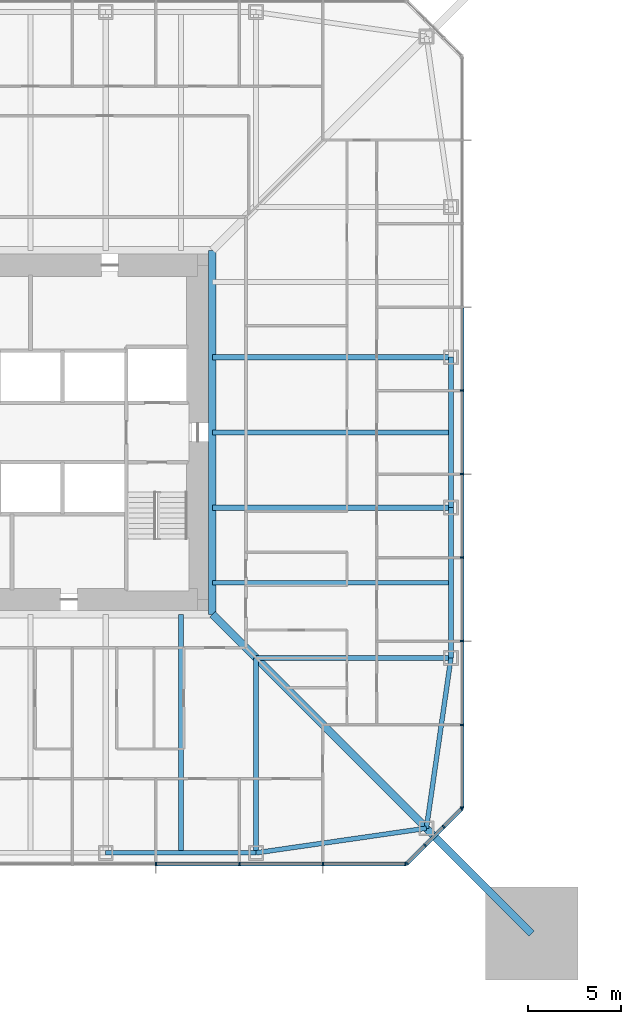
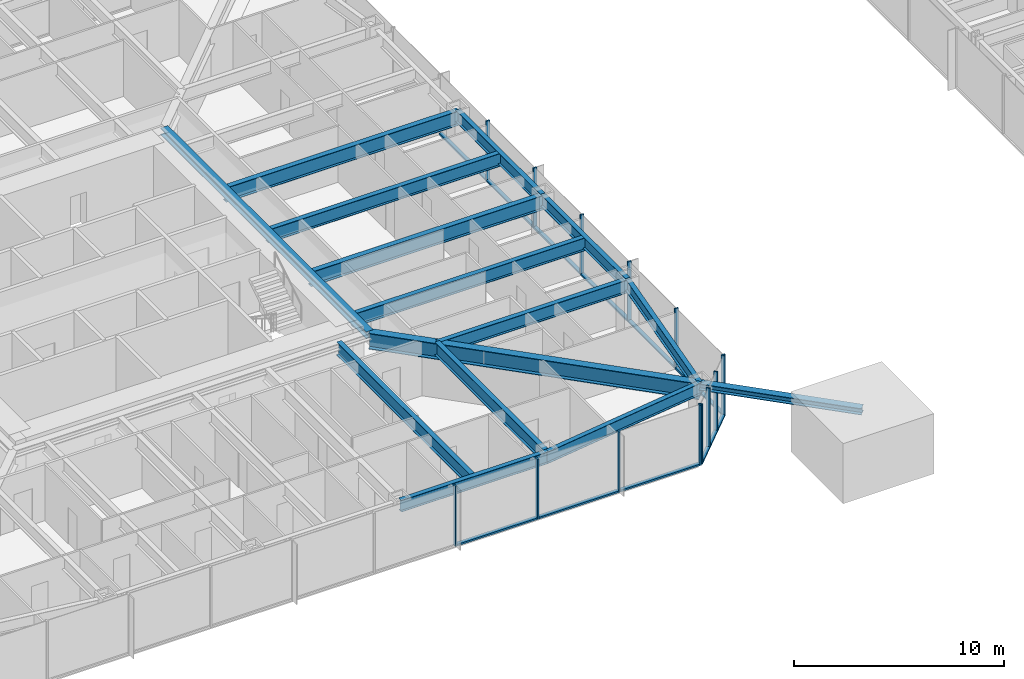
# One storey, part 5 of 26: 27 members, 14 beams, 3 elements without a shape of their own.
"""IFC4 building model written with IfcOpenShell, lengths in metres."""

from ifc_helpers import new_model, si_unit, direction, frame, origin, origin_2d, place, context, subcontext, project, spatial, rectangle, i_section, extrude, material, material_profile, profile_set, type_object, element, aggregate, save


model = new_model("IFC4")

# Units and contexts
model_context = context("Model", 3, precision=1e-05, world=origin(), true_north=direction((0.0, 1.0)))
body_context = subcontext(model_context, "Body", "Model", "MODEL_VIEW")
ifc_project = project(units=[si_unit("LENGTHUNIT", "METRE"), si_unit("AREAUNIT", "SQUARE_METRE"), si_unit("VOLUMEUNIT", "CUBIC_METRE"), si_unit("PLANEANGLEUNIT", "RADIAN"), si_unit("MASSUNIT", "GRAM", prefix="KILO")], contexts=[model_context])

# Site, building, storey
site_placement = place(None, origin())
site = spatial("IfcSite", under=ifc_project, at=site_placement, CompositionType="ELEMENT")
building_placement = place(site_placement, origin())
building = spatial("IfcBuilding", under=site, at=building_placement, Name="Iwan Alto Co-Living Towers", CompositionType="ELEMENT")
storey_placement = place(building_placement, frame((0.0, 0.0, 50.0)))
storey = spatial("IfcBuildingStorey", under=building, at=storey_placement, Name="L13", CompositionType="ELEMENT", Elevation=50.0)

# Curtain wall, members
ifc_material_1 = material(Name="Bronze aluminium unitised frame", Category="aluminium")
curtain_wall_type_1 = type_object("IfcCurtainWallType", Name="CURTAIN WALL CW-A", PredefinedType="NOTDEFINED", material=ifc_material_1)
curtain_wall_1_placement = place(storey_placement, origin())
curtain_wall_1 = element("IfcCurtainWall", 1, at=curtain_wall_1_placement, inside=storey, type_object=curtain_wall_type_1, Name="T1 curtain wall S L13", PredefinedType="NOTDEFINED")
ifc_material_2 = material(Name="Aluminium 6063-T6 bronze anodised", Category="aluminium")
ifc_material_profile_1 = material_profile(ifc_material_2, rectangle(XDim=0.199951171875, YDim=0.080078125, at=origin_2d()), Name="AL 80X200")
ifc_profile_set_1 = profile_set([ifc_material_profile_1], Name="Aluminium 6063-T6 bronze anodised")
member_type_1 = type_object("IfcMemberType", Name="CW-A MULLION 80X200", PredefinedType="MULLION", material=ifc_profile_set_1)
member_1_placement = place(storey_placement, frame((6.75, -23.25, 0.0), z_axis=(0.0, 0.0, 1.0), x_axis=(0.0, 1.0, 0.0)))
member_1 = element("IfcMember", 2, at=member_1_placement, type_object=member_type_1, Name="CW-A mullion 7", PredefinedType="MULLION", context=body_context, shape_type="SweptSolid", body=[
    extrude(rectangle(XDim=0.199951171875, YDim=0.080078125, at=origin_2d()), origin(), (0.0, 0.0, 1.0), 3.5),
])
member_2_placement = place(storey_placement, frame((11.25, -23.25, 0.0), z_axis=(0.0, 0.0, 1.0), x_axis=(0.0, 1.0, 0.0)))
member_2 = element("IfcMember", 3, at=member_2_placement, type_object=member_type_1, Name="CW-A mullion 8", PredefinedType="MULLION", context=body_context, shape_type="SweptSolid", body=[
    extrude(rectangle(XDim=0.199951171875, YDim=0.080078125, at=origin_2d()), origin(), (0.0, 0.0, 1.0), 3.5),
])
member_3_placement = place(storey_placement, frame((15.75, -23.25, 0.0), z_axis=(0.0, 0.0, 1.0), x_axis=(0.0, 1.0, 0.0)))
member_3 = element("IfcMember", 4, at=member_3_placement, type_object=member_type_1, Name="CW-A mullion 9", PredefinedType="MULLION", context=body_context, shape_type="SweptSolid", body=[
    extrude(rectangle(XDim=0.199951171875, YDim=0.080078125, at=origin_2d()), origin(), (0.0, 0.0, 1.0), 3.5),
])
member_4_placement = place(storey_placement, frame((20.2099609375, -23.25, 0.0), z_axis=(0.0, 0.0, 1.0), x_axis=(0.0, 1.0, 0.0)))
member_4 = element("IfcMember", 5, at=member_4_placement, type_object=member_type_1, Name="CW-A mullion 10", PredefinedType="MULLION", context=body_context, shape_type="SweptSolid", body=[
    extrude(rectangle(XDim=0.199951171875, YDim=0.080078125, at=origin_2d()), origin(), (0.0, 0.0, 1.0), 3.5),
])

curtain_wall_2_placement = place(storey_placement, origin())
curtain_wall_2 = element("IfcCurtainWall", 6, at=curtain_wall_2_placement, inside=storey, type_object=curtain_wall_type_1, Name="T1 curtain wall E L13", PredefinedType="NOTDEFINED")
member_5_placement = place(storey_placement, frame((23.25, -20.2099609375, 0.0), z_axis=(0.0, 0.0, 1.0), x_axis=(-1.0, 0.0, 0.0)))
member_5 = element("IfcMember", 7, at=member_5_placement, type_object=member_type_1, Name="CW-A mullion 1", PredefinedType="MULLION", context=body_context, shape_type="SweptSolid", body=[
    extrude(rectangle(XDim=0.199951171875, YDim=0.080078125, at=origin_2d()), origin(), (0.0, 0.0, 1.0), 3.5),
])
member_6_placement = place(storey_placement, frame((23.25, -15.75, 0.0), z_axis=(0.0, 0.0, 1.0), x_axis=(-1.0, 0.0, 0.0)))
member_6 = element("IfcMember", 8, at=member_6_placement, type_object=member_type_1, Name="CW-A mullion 2", PredefinedType="MULLION", context=body_context, shape_type="SweptSolid", body=[
    extrude(rectangle(XDim=0.199951171875, YDim=0.080078125, at=origin_2d()), origin(), (0.0, 0.0, 1.0), 3.5),
])
member_7_placement = place(storey_placement, frame((23.25, -11.25, 0.0), z_axis=(0.0, 0.0, 1.0), x_axis=(-1.0, 0.0, 0.0)))
member_7 = element("IfcMember", 9, at=member_7_placement, type_object=member_type_1, Name="CW-A mullion 3", PredefinedType="MULLION", context=body_context, shape_type="SweptSolid", body=[
    extrude(rectangle(XDim=0.199951171875, YDim=0.080078125, at=origin_2d()), origin(), (0.0, 0.0, 1.0), 3.5),
])
member_8_placement = place(storey_placement, frame((23.25, -6.75, 0.0), z_axis=(0.0, 0.0, 1.0), x_axis=(-1.0, 0.0, 0.0)))
member_8 = element("IfcMember", 10, at=member_8_placement, type_object=member_type_1, Name="CW-A mullion 4", PredefinedType="MULLION", context=body_context, shape_type="SweptSolid", body=[
    extrude(rectangle(XDim=0.199951171875, YDim=0.080078125, at=origin_2d()), origin(), (0.0, 0.0, 1.0), 3.5),
])
member_9_placement = place(storey_placement, frame((23.25, -2.25, 0.0), z_axis=(0.0, 0.0, 1.0), x_axis=(-1.0, 0.0, 0.0)))
member_9 = element("IfcMember", 11, at=member_9_placement, type_object=member_type_1, Name="CW-A mullion 5", PredefinedType="MULLION", context=body_context, shape_type="SweptSolid", body=[
    extrude(rectangle(XDim=0.199951171875, YDim=0.080078125, at=origin_2d()), origin(), (0.0, 0.0, 1.0), 3.5),
])
member_10_placement = place(storey_placement, frame((23.25, 2.25, 0.0), z_axis=(0.0, 0.0, 1.0), x_axis=(-1.0, 0.0, 0.0)))
member_10 = element("IfcMember", 12, at=member_10_placement, type_object=member_type_1, Name="CW-A mullion 6", PredefinedType="MULLION", context=body_context, shape_type="SweptSolid", body=[
    extrude(rectangle(XDim=0.199951171875, YDim=0.080078125, at=origin_2d()), origin(), (0.0, 0.0, 1.0), 3.5),
])

# Member
ifc_material_3 = material(Name="Aluminium 6063-T6 bronze anodised", Category="aluminium")
ifc_material_profile_2 = material_profile(ifc_material_3, rectangle(XDim=0.199951171875, YDim=0.10009765625, at=origin_2d()), Name="AL 200X100")
ifc_profile_set_2 = profile_set([ifc_material_profile_2], Name="Aluminium 6063-T6 bronze anodised")
member_type_2 = type_object("IfcMemberType", Name="CW-A TRANSOM 200X100", PredefinedType="USERDEFINED", material=ifc_profile_set_2)
member_11_placement = place(storey_placement, frame((6.7900390625, -23.25, 0.050048828125), z_axis=(1.0, 0.0, 0.0), x_axis=(0.0, 1.0, 0.0)))
member_11 = element("IfcMember", 13, at=member_11_placement, type_object=member_type_2, Name="CW-A transom 7.1", ObjectType="TRANSOM", PredefinedType="USERDEFINED", context=body_context, shape_type="SweptSolid", body=[
    extrude(rectangle(XDim=0.199951171875, YDim=0.10009765625, at=origin_2d()), origin(), (0.0, 0.0, 1.0), 4.419921875),
])

member_12_placement = place(storey_placement, frame((11.2900390625, -23.25, 0.050048828125), z_axis=(1.0, 0.0, 0.0), x_axis=(0.0, 1.0, 0.0)))
member_12 = element("IfcMember", 14, at=member_12_placement, type_object=member_type_2, Name="CW-A transom 8.1", ObjectType="TRANSOM", PredefinedType="USERDEFINED", context=body_context, shape_type="SweptSolid", body=[
    extrude(rectangle(XDim=0.199951171875, YDim=0.10009765625, at=origin_2d()), origin(), (0.0, 0.0, 1.0), 4.419921875),
])

member_13_placement = place(storey_placement, frame((15.7900390625, -23.25, 0.050048828125), z_axis=(1.0, 0.0, 0.0), x_axis=(0.0, 1.0, 0.0)))
member_13 = element("IfcMember", 15, at=member_13_placement, type_object=member_type_2, Name="CW-A transom 9.1", ObjectType="TRANSOM", PredefinedType="USERDEFINED", context=body_context, shape_type="SweptSolid", body=[
    extrude(rectangle(XDim=0.199951171875, YDim=0.10009765625, at=origin_2d()), origin(), (0.0, 0.0, 1.0), 4.3798828125),
])

aggregate(curtain_wall_1, [member_1, member_2, member_3, member_4, member_11, member_12, member_13])

member_14_placement = place(storey_placement, frame((23.25, -20.169921875, 0.050048828125), z_axis=(0.0, 1.0, 0.0), x_axis=(-1.0, 0.0, 0.0)))
member_14 = element("IfcMember", 16, at=member_14_placement, type_object=member_type_2, Name="CW-A transom 1.1", ObjectType="TRANSOM", PredefinedType="USERDEFINED", context=body_context, shape_type="SweptSolid", body=[
    extrude(rectangle(XDim=0.199951171875, YDim=0.10009765625, at=origin_2d()), origin(), (0.0, 0.0, 1.0), 4.3798828125),
])

member_15_placement = place(storey_placement, frame((23.25, -15.7099609375, 0.050048828125), z_axis=(0.0, 1.0, 0.0), x_axis=(-1.0, 0.0, 0.0)))
member_15 = element("IfcMember", 17, at=member_15_placement, type_object=member_type_2, Name="CW-A transom 2.1", ObjectType="TRANSOM", PredefinedType="USERDEFINED", context=body_context, shape_type="SweptSolid", body=[
    extrude(rectangle(XDim=0.199951171875, YDim=0.10009765625, at=origin_2d()), origin(), (0.0, 0.0, 1.0), 4.419921875),
])

member_16_placement = place(storey_placement, frame((23.25, -11.2099609375, 0.050048828125), z_axis=(0.0, 1.0, 0.0), x_axis=(-1.0, 0.0, 0.0)))
member_16 = element("IfcMember", 18, at=member_16_placement, type_object=member_type_2, Name="CW-A transom 3.1", ObjectType="TRANSOM", PredefinedType="USERDEFINED", context=body_context, shape_type="SweptSolid", body=[
    extrude(rectangle(XDim=0.199951171875, YDim=0.10009765625, at=origin_2d()), origin(), (0.0, 0.0, 1.0), 4.419921875),
])

member_17_placement = place(storey_placement, frame((23.25, -6.7099609375, 0.050048828125), z_axis=(0.0, 1.0, 0.0), x_axis=(-1.0, 0.0, 0.0)))
member_17 = element("IfcMember", 19, at=member_17_placement, type_object=member_type_2, Name="CW-A transom 4.1", ObjectType="TRANSOM", PredefinedType="USERDEFINED", context=body_context, shape_type="SweptSolid", body=[
    extrude(rectangle(XDim=0.199951171875, YDim=0.10009765625, at=origin_2d()), origin(), (0.0, 0.0, 1.0), 4.419921875),
])

member_18_placement = place(storey_placement, frame((23.25, -2.2099609375, 0.050048828125), z_axis=(0.0, 1.0, 0.0), x_axis=(-1.0, 0.0, 0.0)))
member_18 = element("IfcMember", 20, at=member_18_placement, type_object=member_type_2, Name="CW-A transom 5.1", ObjectType="TRANSOM", PredefinedType="USERDEFINED", context=body_context, shape_type="SweptSolid", body=[
    extrude(rectangle(XDim=0.199951171875, YDim=0.10009765625, at=origin_2d()), origin(), (0.0, 0.0, 1.0), 4.419921875),
])

member_19_placement = place(storey_placement, frame((23.25, 2.2900390625, 0.050048828125), z_axis=(0.0, 1.0, 0.0), x_axis=(-1.0, 0.0, 0.0)))
member_19 = element("IfcMember", 21, at=member_19_placement, type_object=member_type_2, Name="CW-A transom 6.1", ObjectType="TRANSOM", PredefinedType="USERDEFINED", context=body_context, shape_type="SweptSolid", body=[
    extrude(rectangle(XDim=0.199951171875, YDim=0.10009765625, at=origin_2d()), origin(), (0.0, 0.0, 1.0), 4.419921875),
])

aggregate(curtain_wall_2, [member_5, member_6, member_7, member_8, member_9, member_10, member_14, member_15, member_16, member_17, member_18, member_19])

# Curtain wall, members
ifc_material_4 = material(Name="Bronze aluminium unitised frame", Category="aluminium")
curtain_wall_type_2 = type_object("IfcCurtainWallType", Name="CURTAIN WALL CW-B", PredefinedType="NOTDEFINED", material=ifc_material_4)
curtain_wall_3_placement = place(storey_placement, origin())
curtain_wall_3 = element("IfcCurtainWall", 22, at=curtain_wall_3_placement, inside=storey, type_object=curtain_wall_type_2, Name="T1 chamfer curtain wall SE L13", PredefinedType="NOTDEFINED")
ifc_material_5 = material(Name="Aluminium 6063-T6 bronze anodised", Category="aluminium")
ifc_material_profile_3 = material_profile(ifc_material_5, rectangle(XDim=0.199951171875, YDim=0.080078125, at=origin_2d()), Name="AL 80X200")
ifc_profile_set_3 = profile_set([ifc_material_profile_3], Name="Aluminium 6063-T6 bronze anodised")
member_type_3 = type_object("IfcMemberType", Name="CW-B MULLION 80X200", PredefinedType="MULLION", material=ifc_profile_set_3)
member_20_placement = place(storey_placement, frame((20.2783203125, -23.2216796875, 0.0), z_axis=(0.0, 0.0, 1.0), x_axis=(-0.707106781187, 0.707106781187, 0.0)))
member_20 = element("IfcMember", 23, at=member_20_placement, type_object=member_type_3, Name="CW-B mullion 1", PredefinedType="MULLION", context=body_context, shape_type="SweptSolid", body=[
    extrude(rectangle(XDim=0.199951171875, YDim=0.080078125, at=origin_2d()), origin(), (0.0, 0.0, 1.0), 3.5),
])
member_21_placement = place(storey_placement, frame((21.25, -22.25, 0.0), z_axis=(0.0, 0.0, 1.0), x_axis=(-0.707106781187, 0.707106781187, 0.0)))
member_21 = element("IfcMember", 24, at=member_21_placement, type_object=member_type_3, Name="CW-B mullion 2", PredefinedType="MULLION", context=body_context, shape_type="SweptSolid", body=[
    extrude(rectangle(XDim=0.199951171875, YDim=0.080078125, at=origin_2d()), origin(), (0.0, 0.0, 1.0), 3.5),
])
member_22_placement = place(storey_placement, frame((22.25, -21.25, 0.0), z_axis=(0.0, 0.0, 1.0), x_axis=(-0.707106781187, 0.707106781187, 0.0)))
member_22 = element("IfcMember", 25, at=member_22_placement, type_object=member_type_3, Name="CW-B mullion 3", PredefinedType="MULLION", context=body_context, shape_type="SweptSolid", body=[
    extrude(rectangle(XDim=0.199951171875, YDim=0.080078125, at=origin_2d()), origin(), (0.0, 0.0, 1.0), 3.5),
])
member_23_placement = place(storey_placement, frame((23.2216796875, -20.2783203125, 0.0), z_axis=(0.0, 0.0, 1.0), x_axis=(-0.707106781187, 0.707106781187, 0.0)))
member_23 = element("IfcMember", 26, at=member_23_placement, type_object=member_type_3, Name="CW-B mullion 4", PredefinedType="MULLION", context=body_context, shape_type="SweptSolid", body=[
    extrude(rectangle(XDim=0.199951171875, YDim=0.080078125, at=origin_2d()), origin(), (0.0, 0.0, 1.0), 3.5),
])
ifc_material_6 = material(Name="Aluminium 6063-T6 bronze anodised", Category="aluminium")
ifc_material_profile_4 = material_profile(ifc_material_6, rectangle(XDim=0.199951171875, YDim=0.10009765625, at=origin_2d()), Name="AL 200X100")
ifc_profile_set_4 = profile_set([ifc_material_profile_4], Name="Aluminium 6063-T6 bronze anodised")
member_type_4 = type_object("IfcMemberType", Name="CW-B TRANSOM 200X100", PredefinedType="USERDEFINED", material=ifc_profile_set_4)
member_24_placement = place(storey_placement, frame((20.306640625, -23.193359375, 0.050048828125), z_axis=(0.707106781187, 0.707106781187, 0.0), x_axis=(-0.707106781187, 0.707106781187, 0.0)))
member_24 = element("IfcMember", 27, at=member_24_placement, type_object=member_type_4, Name="CW-B transom 1.1", ObjectType="TRANSOM", PredefinedType="USERDEFINED", context=body_context, shape_type="SweptSolid", body=[
    extrude(rectangle(XDim=0.199951171875, YDim=0.10009765625, at=origin_2d()), origin(), (0.0, 0.0, 1.0), 1.2939453125),
])
member_25_placement = place(storey_placement, frame((21.2783203125, -22.2216796875, 0.050048828125), z_axis=(0.707106781187, 0.707106781187, 0.0), x_axis=(-0.707106781187, 0.707106781187, 0.0)))
member_25 = element("IfcMember", 28, at=member_25_placement, type_object=member_type_4, Name="CW-B transom 2.1", ObjectType="TRANSOM", PredefinedType="USERDEFINED", context=body_context, shape_type="SweptSolid", body=[
    extrude(rectangle(XDim=0.199951171875, YDim=0.10009765625, at=origin_2d()), origin(), (0.0, 0.0, 1.0), 1.334228515625),
])
member_26_placement = place(storey_placement, frame((22.2783203125, -21.2216796875, 0.050048828125), z_axis=(0.707106781187, 0.707106781187, 0.0), x_axis=(-0.707106781187, 0.707106781187, 0.0)))
member_26 = element("IfcMember", 29, at=member_26_placement, type_object=member_type_4, Name="CW-B transom 3.1", ObjectType="TRANSOM", PredefinedType="USERDEFINED", context=body_context, shape_type="SweptSolid", body=[
    extrude(rectangle(XDim=0.199951171875, YDim=0.10009765625, at=origin_2d()), origin(), (0.0, 0.0, 1.0), 1.2939453125),
])
aggregate(curtain_wall_3, [member_20, member_21, member_22, member_23, member_24, member_25, member_26])

# Beams
ifc_material_7 = material(Name="Steel ASTM A992 Gr 50", Category="steel")
ifc_material_profile_5 = material_profile(ifc_material_7, i_section(OverallWidth=0.40380859375, OverallDepth=0.406494140625, WebThickness=0.027099609375, FlangeThickness=0.043701171875, at=origin_2d()), Name="W14X233")
ifc_profile_set_5 = profile_set([ifc_material_profile_5], Name="Steel ASTM A992 Gr 50")
beam_type_1 = type_object("IfcBeamType", Name="T1 CORE LEDGER BEAM W14X233", PredefinedType="BEAM", material=ifc_profile_set_5)
beam_1_placement = place(storey_placement, frame((9.802001953125, -9.802001953125, 3.06689453125), z_axis=(0.0, 1.0, 0.0), x_axis=(-1.0, 0.0, 0.0)))
element("IfcBeam", 30, at=beam_1_placement, inside=storey, type_object=beam_type_1, Name="T1 core ledger beam E L14", PredefinedType="BEAM", context=body_context, shape_type="SweptSolid", body=[
    extrude(i_section(OverallWidth=0.40380859375, OverallDepth=0.406494140625, WebThickness=0.027099609375, FlangeThickness=0.043701171875, at=origin_2d()), origin(), (0.0, 0.0, 1.0), 19.60400390625),
])
ifc_material_8 = material(Name="Steel ASTM A992 Gr 50", Category="steel")
ifc_material_profile_6 = material_profile(ifc_material_8, i_section(OverallWidth=0.419189453125, OverallDepth=0.927001953125, WebThickness=0.019287109375, FlangeThickness=0.031982421875, at=origin_2d()), Name="W36X231")
ifc_profile_set_6 = profile_set([ifc_material_profile_6], Name="Steel ASTM A992 Gr 50")
beam_type_2 = type_object("IfcBeamType", Name="T1 CORNER GIRDER W36X231", PredefinedType="BEAM", material=ifc_profile_set_6)
beam_2_placement = place(storey_placement, frame((21.32568359375, -21.32568359375, 2.806396484375), z_axis=(-0.707106781187, 0.707106781187, 0.0), x_axis=(-0.707106781187, -0.707106781187, 0.0)))
element("IfcBeam", 31, at=beam_2_placement, inside=storey, type_object=beam_type_2, Name="T1 corner girder CSE L14", PredefinedType="BEAM", context=body_context, shape_type="SweptSolid", body=[
    extrude(i_section(OverallWidth=0.419189453125, OverallDepth=0.927001953125, WebThickness=0.019287109375, FlangeThickness=0.031982421875, at=origin_2d()), origin(), (0.0, 0.0, 1.0), 16.296875),
])
ifc_material_9 = material(Name="Steel ASTM A992 Gr 50", Category="steel")
ifc_material_profile_7 = material_profile(ifc_material_9, i_section(OverallWidth=0.25390625, OverallDepth=0.683349609375, WebThickness=0.012451171875, FlangeThickness=0.018798828125, at=origin_2d()), Name="W27X94")
ifc_profile_set_7 = profile_set([ifc_material_profile_7], Name="Steel ASTM A992 Gr 50")
beam_type_3 = type_object("IfcBeamType", Name="T1 EDGE BEAM W27X94", PredefinedType="BEAM", material=ifc_profile_set_7)
beam_3_placement = place(storey_placement, frame((4.050048828125, -22.64990234375, 2.928466796875), z_axis=(1.0, 0.0, 0.0), x_axis=(0.0, 1.0, 0.0)))
element("IfcBeam", 32, at=beam_3_placement, inside=storey, type_object=beam_type_3, Name="T1 edge beam S3 L14", PredefinedType="BEAM", context=body_context, shape_type="SweptSolid", body=[
    extrude(i_section(OverallWidth=0.25390625, OverallDepth=0.683349609375, WebThickness=0.012451171875, FlangeThickness=0.018798828125, at=origin_2d()), origin(), (0.0, 0.0, 1.0), 8.099853515625),
])
for number, where, z_axis, x_axis, name in (
    (33, (12.14990234375, -22.64990234375, 2.928466796875), (0.989746234347, 0.142836940589, 0.0), (-0.142836940589, 0.989746234347, 0.0), "T1 edge beam S4 L14"),
    (34, (21.32568359375, -21.32568359375, 2.928466796875), (0.142836940589, 0.989746234347, 0.0), (-0.989746234347, 0.142836940589, 0.0), "T1 edge beam CSE L14"),
):
    element("IfcBeam", number, at=place(storey_placement, frame(where, z_axis=z_axis, x_axis=x_axis)), inside=storey, type_object=beam_type_3, Name=name, PredefinedType="BEAM", context=body_context, shape_type="SweptSolid", body=[
        extrude(i_section(OverallWidth=0.25390625, OverallDepth=0.683349609375, WebThickness=0.012451171875, FlangeThickness=0.018798828125, at=origin_2d()), origin(), (0.0, 0.0, 1.0), 9.270751953125),
    ])
beam_4_placement = place(storey_placement, frame((22.64990234375, -12.14990234375, 2.928466796875), z_axis=(0.0, 1.0, 0.0), x_axis=(-1.0, 0.0, 0.0)))
element("IfcBeam", 35, at=beam_4_placement, inside=storey, type_object=beam_type_3, Name="T1 edge beam E1 L14", PredefinedType="BEAM", context=body_context, shape_type="SweptSolid", body=[
    extrude(i_section(OverallWidth=0.25390625, OverallDepth=0.683349609375, WebThickness=0.012451171875, FlangeThickness=0.018798828125, at=origin_2d()), origin(), (0.0, 0.0, 1.0), 8.099853515625),
])
beam_5_placement = place(storey_placement, frame((22.64990234375, -4.050048828125, 2.928466796875), z_axis=(0.0, 1.0, 0.0), x_axis=(-1.0, 0.0, 0.0)))
element("IfcBeam", 36, at=beam_5_placement, inside=storey, type_object=beam_type_3, Name="T1 edge beam E2 L14", PredefinedType="BEAM", context=body_context, shape_type="SweptSolid", body=[
    extrude(i_section(OverallWidth=0.25390625, OverallDepth=0.683349609375, WebThickness=0.012451171875, FlangeThickness=0.018798828125, at=origin_2d()), origin(), (0.0, 0.0, 1.0), 8.10009765625),
])

# Member
ifc_material_10 = material(Name="Steel ASTM A992 Gr 50", Category="steel")
ifc_material_profile_8 = material_profile(ifc_material_10, i_section(OverallWidth=0.393798828125, OverallDepth=0.3759765625, WebThickness=0.017333984375, FlangeThickness=0.027587890625, at=origin_2d()), Name="W14X145")
ifc_profile_set_8 = profile_set([ifc_material_profile_8], Name="Steel ASTM A992 Gr 50")
member_type_5 = type_object("IfcMemberType", Name="T1 MEGA COLUMN FLOOR TIE W14X145", PredefinedType="STRUT", material=ifc_profile_set_8)
member_27_placement = place(storey_placement, frame((27.0, -27.0, 3.08203125), z_axis=(-0.707106781187, 0.707106781187, 0.0), x_axis=(-0.707106781187, -0.707106781187, 0.0)))
element("IfcMember", 37, at=member_27_placement, inside=storey, type_object=member_type_5, Name="T1 mega column floor tie SE L14", PredefinedType="STRUT", context=body_context, shape_type="SweptSolid", body=[
    extrude(i_section(OverallWidth=0.393798828125, OverallDepth=0.3759765625, WebThickness=0.017333984375, FlangeThickness=0.027587890625, at=origin_2d()), origin(), (0.0, 0.0, 1.0), 8.024658203125),
])

# Beams
ifc_material_11 = material(Name="Steel ASTM A992 Gr 50", Category="steel")
ifc_material_profile_9 = material_profile(ifc_material_11, i_section(OverallWidth=0.2666015625, OverallDepth=0.761962890625, WebThickness=0.014404296875, FlangeThickness=0.021484375, at=origin_2d()), Name="W30X116")
ifc_profile_set_9 = profile_set([ifc_material_profile_9], Name="Steel ASTM A992 Gr 50")
beam_type_4 = type_object("IfcBeamType", Name="T1 RADIAL BEAM W30X116", PredefinedType="BEAM", material=ifc_profile_set_9)
for number, where, z_axis, x_axis, name in (
    (38, (12.14990234375, -22.64990234375, 2.888916015625), (0.0, 1.0, 0.0), (-1.0, 0.0, 0.0), "T1 radial beam S4 L14"),
    (39, (22.64990234375, -12.14990234375, 2.888916015625), (-1.0, 0.0, 0.0), (0.0, -1.0, 0.0), "T1 radial beam E1 L14"),
):
    element("IfcBeam", number, at=place(storey_placement, frame(where, z_axis=z_axis, x_axis=x_axis)), inside=storey, type_object=beam_type_4, Name=name, PredefinedType="BEAM", context=body_context, shape_type="SweptSolid", body=[
        extrude(i_section(OverallWidth=0.2666015625, OverallDepth=0.761962890625, WebThickness=0.014404296875, FlangeThickness=0.021484375, at=origin_2d()), origin(), (0.0, 0.0, 1.0), 10.5),
    ])
ifc_material_12 = material(Name="Steel ASTM A992 Gr 50", Category="steel")
ifc_material_profile_10 = material_profile(ifc_material_12, i_section(OverallWidth=0.2919921875, OverallDepth=0.8408203125, WebThickness=0.0146484375, FlangeThickness=0.021728515625, at=origin_2d()), Name="W33X130")
ifc_profile_set_10 = profile_set([ifc_material_profile_10], Name="Steel ASTM A992 Gr 50")
beam_type_5 = type_object("IfcBeamType", Name="T1 RADIAL BEAM W33X130", PredefinedType="BEAM", material=ifc_profile_set_10)
for number, where, z_axis, x_axis, name in (
    (40, (22.64990234375, -4.050048828125, 2.849609375), (-1.0, 0.0, 0.0), (0.0, -1.0, 0.0), "T1 radial beam E2 L14"),
    (41, (22.64990234375, 4.050048828125, 2.849609375), (-1.0, 0.0, 0.0), (0.0, -1.0, 0.0), "T1 radial beam E3 L14"),
):
    element("IfcBeam", number, at=place(storey_placement, frame(where, z_axis=z_axis, x_axis=x_axis)), inside=storey, type_object=beam_type_5, Name=name, PredefinedType="BEAM", context=body_context, shape_type="SweptSolid", body=[
        extrude(i_section(OverallWidth=0.2919921875, OverallDepth=0.8408203125, WebThickness=0.0146484375, FlangeThickness=0.021728515625, at=origin_2d()), origin(), (0.0, 0.0, 1.0), 12.847900390625),
    ])
ifc_material_13 = material(Name="Steel ASTM A992 Gr 50", Category="steel")
ifc_material_profile_11 = material_profile(ifc_material_13, i_section(OverallWidth=0.2666015625, OverallDepth=0.761962890625, WebThickness=0.014404296875, FlangeThickness=0.021484375, at=origin_2d()), Name="W30X116")
ifc_profile_set_11 = profile_set([ifc_material_profile_11], Name="Steel ASTM A992 Gr 50")
beam_type_6 = type_object("IfcBeamType", Name="T1 SECONDARY BEAM W30X116", PredefinedType="JOIST", material=ifc_profile_set_11)
for number, where, z_axis, x_axis, name in (
    (42, (8.10009765625, -22.64990234375, 2.888916015625), (0.0, 1.0, 0.0), (-1.0, 0.0, 0.0), "T1 secondary beam S3 L14"),
    (43, (22.64990234375, -8.10009765625, 2.888916015625), (-1.0, 0.0, 0.0), (0.0, -1.0, 0.0), "T1 secondary beam E1 L14"),
    (44, (22.64990234375, 0.0, 2.888916015625), (-1.0, 0.0, 0.0), (0.0, -1.0, 0.0), "T1 secondary beam E2 L14"),
):
    element("IfcBeam", number, at=place(storey_placement, frame(where, z_axis=z_axis, x_axis=x_axis)), inside=storey, type_object=beam_type_6, Name=name, PredefinedType="JOIST", context=body_context, shape_type="SweptSolid", body=[
        extrude(i_section(OverallWidth=0.2666015625, OverallDepth=0.761962890625, WebThickness=0.014404296875, FlangeThickness=0.021484375, at=origin_2d()), origin(), (0.0, 0.0, 1.0), 12.847900390625),
    ])

save(model, "model.ifc")
